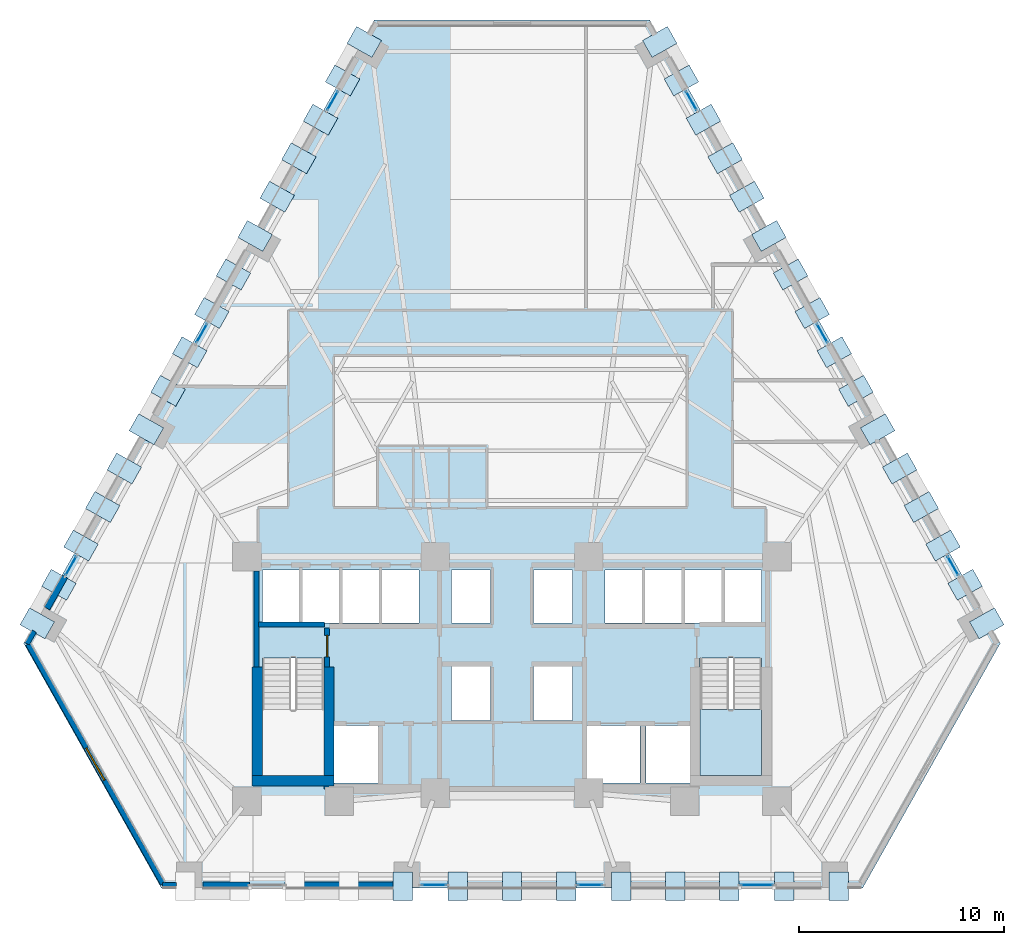
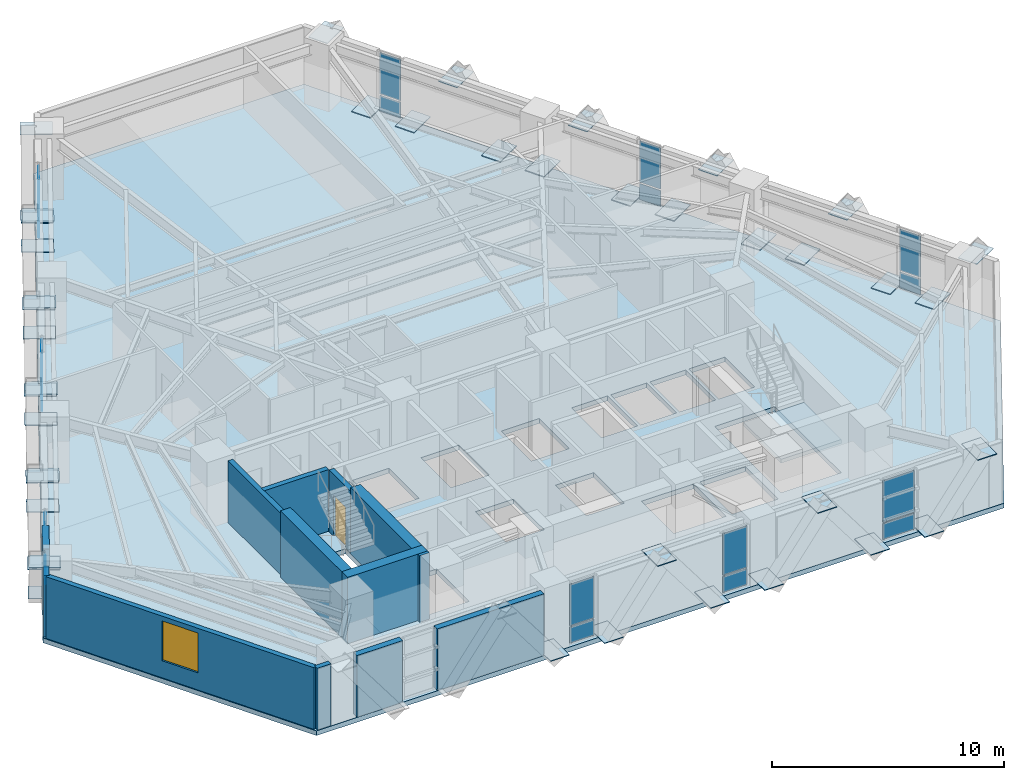
# One storey, part 6 of 13: 59 plates, 12 walls, 2 slabs, 1 door, 1 window, 2 openings, 10 elements without a shape of their own.
"""IFC4 building model written with IfcOpenShell, lengths in metres."""

from ifc_helpers import new_model, si_unit, direction, frame, frame_2d, origin, origin_2d, place, context, subcontext, project, spatial, polyline, rectangle, outline, extrude, material, layer, layer_set, type_object, element, fill, aggregate, save


model = new_model("IFC4")

# Units and contexts
model_context = context("Model", 3, precision=1e-05, world=origin(), true_north=direction((0.0, 1.0)))
body_context = subcontext(model_context, "Body", "Model", "MODEL_VIEW")
ifc_project = project(units=[si_unit("LENGTHUNIT", "METRE"), si_unit("AREAUNIT", "SQUARE_METRE"), si_unit("VOLUMEUNIT", "CUBIC_METRE"), si_unit("PLANEANGLEUNIT", "RADIAN"), si_unit("MASSUNIT", "GRAM", prefix="KILO")], contexts=[model_context])

# Site, building, storey
site_placement = place(None, origin())
site = spatial("IfcSite", under=ifc_project, at=site_placement, CompositionType="ELEMENT")
building_placement = place(site_placement, origin())
building = spatial("IfcBuilding", under=site, at=building_placement, Name="Quenlor Broadcast Tower", CompositionType="ELEMENT")
storey_placement = place(building_placement, frame((0.0, 0.0, 45.10009765625)))
storey = spatial("IfcBuildingStorey", under=building, at=storey_placement, Name="L11", CompositionType="ELEMENT", Elevation=45.10009765625)

# Curtain wall, plates
ifc_material_1 = material(Name="Architectural Terracotta and Low-E Glazing", Category="masonry")
curtain_wall_type = type_object("IfcCurtainWallType", Name="Unitised Terracotta Curtain Wall System Z1", PredefinedType="NOTDEFINED", material=ifc_material_1)
curtain_wall_1_placement = place(storey_placement, origin())
curtain_wall_1 = element("IfcCurtainWall", 1, at=curtain_wall_1_placement, inside=storey, type_object=curtain_wall_type, Name="L11 Curtain Wall CW1 (L11-SA-G1)", PredefinedType="NOTDEFINED")
ifc_material_2 = material(Name="Double Glazed Low-E Solar Glass", Category="glass")
ifc_layer_1 = layer(ifc_material_2, 0.031982421875)
ifc_layer_set_1 = layer_set([ifc_layer_1], Name="CW1 Double Glazed Vision Panel 32")
plate_type_1 = type_object("IfcPlateType", Name="CW1 Double Glazed Vision Panel 32", PredefinedType="CURTAIN_PANEL", material=ifc_layer_set_1)
plate_1_placement = place(storey_placement, frame((11.970703125, -20.840087890625, 0.079833984375), z_axis=(0.0, 0.0, 1.0), x_axis=(-1.0, 0.0, 0.0)))
plate_1 = element("IfcPlate", 2, at=plate_1_placement, type_object=plate_type_1, Name="CW1 panel 1.1", PredefinedType="CURTAIN_PANEL", context=body_context, shape_type="SweptSolid", body=[
    extrude(rectangle(XDim=1.568359375, YDim=0.031982421875, at=origin_2d()), origin(), (0.0, 0.0, 1.0), 0.830078125),
])
plate_2_placement = place(storey_placement, frame((11.970703125, -20.840087890625, 0.98974609375), z_axis=(0.0, 0.0, 1.0), x_axis=(-1.0, 0.0, 0.0)))
plate_2 = element("IfcPlate", 3, at=plate_2_placement, type_object=plate_type_1, Name="CW1 panel 1.2", PredefinedType="CURTAIN_PANEL", context=body_context, shape_type="SweptSolid", body=[
    extrude(rectangle(XDim=1.568359375, YDim=0.031982421875, at=origin_2d()), origin(), (0.0, 0.0, 1.0), 2.179931640625),
])
aggregate(curtain_wall_1, [plate_1, plate_2])

curtain_wall_2_placement = place(storey_placement, origin())
curtain_wall_2 = element("IfcCurtainWall", 4, at=curtain_wall_2_placement, inside=storey, type_object=curtain_wall_type, Name="L11 Curtain Wall CW1 (L11-S-G1)", PredefinedType="NOTDEFINED")
plate_3_placement = place(storey_placement, frame((3.81103515625, -20.840087890625, 0.079833984375), z_axis=(0.0, 0.0, 1.0), x_axis=(-1.0, 0.0, 0.0)))
plate_3 = element("IfcPlate", 5, at=plate_3_placement, type_object=plate_type_1, Name="CW1 panel 1.1", PredefinedType="CURTAIN_PANEL", context=body_context, shape_type="SweptSolid", body=[
    extrude(rectangle(XDim=1.209716796875, YDim=0.031982421875, at=origin_2d()), origin(), (0.0, 0.0, 1.0), 0.830078125),
])
plate_4_placement = place(storey_placement, frame((3.81103515625, -20.840087890625, 0.98974609375), z_axis=(0.0, 0.0, 1.0), x_axis=(-1.0, 0.0, 0.0)))
plate_4 = element("IfcPlate", 6, at=plate_4_placement, type_object=plate_type_1, Name="CW1 panel 1.2", PredefinedType="CURTAIN_PANEL", context=body_context, shape_type="SweptSolid", body=[
    extrude(rectangle(XDim=1.209716796875, YDim=0.031982421875, at=origin_2d()), origin(), (0.0, 0.0, 1.0), 2.179931640625),
])
aggregate(curtain_wall_2, [plate_3, plate_4])

curtain_wall_3_placement = place(storey_placement, origin())
curtain_wall_3 = element("IfcCurtainWall", 7, at=curtain_wall_3_placement, inside=storey, type_object=curtain_wall_type, Name="L11 Curtain Wall CW1 (L11-S-G2)", PredefinedType="NOTDEFINED")
plate_5_placement = place(storey_placement, frame((-3.81103515625, -20.840087890625, 0.079833984375), z_axis=(0.0, 0.0, 1.0), x_axis=(-1.0, 0.0, 0.0)))
plate_5 = element("IfcPlate", 8, at=plate_5_placement, type_object=plate_type_1, Name="CW1 panel 1.1", PredefinedType="CURTAIN_PANEL", context=body_context, shape_type="SweptSolid", body=[
    extrude(rectangle(XDim=1.209716796875, YDim=0.031982421875, at=origin_2d()), origin(), (0.0, 0.0, 1.0), 0.830078125),
])
plate_6_placement = place(storey_placement, frame((-3.81103515625, -20.840087890625, 0.98974609375), z_axis=(0.0, 0.0, 1.0), x_axis=(-1.0, 0.0, 0.0)))
plate_6 = element("IfcPlate", 9, at=plate_6_placement, type_object=plate_type_1, Name="CW1 panel 1.2", PredefinedType="CURTAIN_PANEL", context=body_context, shape_type="SweptSolid", body=[
    extrude(rectangle(XDim=1.209716796875, YDim=0.031982421875, at=origin_2d()), origin(), (0.0, 0.0, 1.0), 2.179931640625),
])
aggregate(curtain_wall_3, [plate_5, plate_6])

curtain_wall_4_placement = place(storey_placement, origin())
curtain_wall_4 = element("IfcCurtainWall", 10, at=curtain_wall_4_placement, inside=storey, type_object=curtain_wall_type, Name="L11 Curtain Wall CW1 (L11-NEA-G1)", PredefinedType="NOTDEFINED")
plate_7_placement = place(storey_placement, frame((8.766845703125, 17.48779296875, 0.079833984375), z_axis=(0.0, 0.0, 1.0), x_axis=(0.490214053392, -0.871602077703, 0.0)))
plate_7 = element("IfcPlate", 11, at=plate_7_placement, type_object=plate_type_1, Name="CW1 panel 1.1", PredefinedType="CURTAIN_PANEL", context=body_context, shape_type="SweptSolid", body=[
    extrude(rectangle(XDim=1.04736328125, YDim=0.031982421875, at=origin_2d()), origin(), (0.0, 0.0, 1.0), 0.830078125),
])
plate_8_placement = place(storey_placement, frame((8.766845703125, 17.48779296875, 0.98974609375), z_axis=(0.0, 0.0, 1.0), x_axis=(0.490214053392, -0.871602077703, 0.0)))
plate_8 = element("IfcPlate", 12, at=plate_8_placement, type_object=plate_type_1, Name="CW1 panel 1.2", PredefinedType="CURTAIN_PANEL", context=body_context, shape_type="SweptSolid", body=[
    extrude(rectangle(XDim=1.04736328125, YDim=0.031982421875, at=origin_2d()), origin(), (0.0, 0.0, 1.0), 2.179931640625),
])
aggregate(curtain_wall_4, [plate_7, plate_8])

curtain_wall_5_placement = place(storey_placement, origin())
curtain_wall_5 = element("IfcCurtainWall", 13, at=curtain_wall_5_placement, inside=storey, type_object=curtain_wall_type, Name="L11 Curtain Wall CW1 (L11-NEC-G1)", PredefinedType="NOTDEFINED")
plate_9_placement = place(storey_placement, frame((21.553955078125, -5.24462890625, 0.079833984375), z_axis=(0.0, 0.0, 1.0), x_axis=(0.490214053392, -0.871602077703, 0.0)))
plate_9 = element("IfcPlate", 14, at=plate_9_placement, type_object=plate_type_1, Name="CW1 panel 1.1", PredefinedType="CURTAIN_PANEL", context=body_context, shape_type="SweptSolid", body=[
    extrude(rectangle(XDim=1.04736328125, YDim=0.031982421875, at=origin_2d()), origin(), (0.0, 0.0, 1.0), 0.830078125),
])
plate_10_placement = place(storey_placement, frame((21.553955078125, -5.24462890625, 0.98974609375), z_axis=(0.0, 0.0, 1.0), x_axis=(0.490214053392, -0.871602077703, 0.0)))
plate_10 = element("IfcPlate", 15, at=plate_10_placement, type_object=plate_type_1, Name="CW1 panel 1.2", PredefinedType="CURTAIN_PANEL", context=body_context, shape_type="SweptSolid", body=[
    extrude(rectangle(XDim=1.04736328125, YDim=0.031982421875, at=origin_2d()), origin(), (0.0, 0.0, 1.0), 2.179931640625),
])
aggregate(curtain_wall_5, [plate_9, plate_10])

curtain_wall_6_placement = place(storey_placement, origin())
curtain_wall_6 = element("IfcCurtainWall", 16, at=curtain_wall_6_placement, inside=storey, type_object=curtain_wall_type, Name="L11 Curtain Wall CW1 (L11-NE-G1)", PredefinedType="NOTDEFINED")
plate_11_placement = place(storey_placement, frame((15.160400390625, 6.12158203125, 0.079833984375), z_axis=(0.0, 0.0, 1.0), x_axis=(0.49027696742, -0.871566690057, 0.0)))
plate_11 = element("IfcPlate", 17, at=plate_11_placement, type_object=plate_type_1, Name="CW1 panel 1.1", PredefinedType="CURTAIN_PANEL", context=body_context, shape_type="SweptSolid", body=[
    extrude(rectangle(XDim=1.04736328125, YDim=0.031982421875, at=origin_2d()), origin(), (0.0, 0.0, 1.0), 0.830078125),
])
plate_12_placement = place(storey_placement, frame((15.160400390625, 6.12158203125, 0.98974609375), z_axis=(0.0, 0.0, 1.0), x_axis=(0.49027696742, -0.871566690057, 0.0)))
plate_12 = element("IfcPlate", 18, at=plate_12_placement, type_object=plate_type_1, Name="CW1 panel 1.2", PredefinedType="CURTAIN_PANEL", context=body_context, shape_type="SweptSolid", body=[
    extrude(rectangle(XDim=1.04736328125, YDim=0.031982421875, at=origin_2d()), origin(), (0.0, 0.0, 1.0), 2.179931640625),
])
aggregate(curtain_wall_6, [plate_11, plate_12])

curtain_wall_7_placement = place(storey_placement, origin())
curtain_wall_7 = element("IfcCurtainWall", 19, at=curtain_wall_7_placement, inside=storey, type_object=curtain_wall_type, Name="L11 Curtain Wall CW1 (L11-NWA-G1)", PredefinedType="NOTDEFINED")
plate_13_placement = place(storey_placement, frame((-21.553955078125, -5.24462890625, 0.079833984375), z_axis=(0.0, 0.0, 1.0), x_axis=(0.490214053392, 0.871602077703, 0.0)))
plate_13 = element("IfcPlate", 20, at=plate_13_placement, type_object=plate_type_1, Name="CW1 panel 1.1", PredefinedType="CURTAIN_PANEL", context=body_context, shape_type="SweptSolid", body=[
    extrude(rectangle(XDim=1.04736328125, YDim=0.031982421875, at=origin_2d()), origin(), (0.0, 0.0, 1.0), 0.830078125),
])
plate_14_placement = place(storey_placement, frame((-21.553955078125, -5.24462890625, 0.98974609375), z_axis=(0.0, 0.0, 1.0), x_axis=(0.490214053392, 0.871602077703, 0.0)))
plate_14 = element("IfcPlate", 21, at=plate_14_placement, type_object=plate_type_1, Name="CW1 panel 1.2", PredefinedType="CURTAIN_PANEL", context=body_context, shape_type="SweptSolid", body=[
    extrude(rectangle(XDim=1.04736328125, YDim=0.031982421875, at=origin_2d()), origin(), (0.0, 0.0, 1.0), 2.179931640625),
])
aggregate(curtain_wall_7, [plate_13, plate_14])

curtain_wall_8_placement = place(storey_placement, origin())
curtain_wall_8 = element("IfcCurtainWall", 22, at=curtain_wall_8_placement, inside=storey, type_object=curtain_wall_type, Name="L11 Curtain Wall CW1 (L11-NWC-G1)", PredefinedType="NOTDEFINED")
plate_15_placement = place(storey_placement, frame((-8.766845703125, 17.48779296875, 0.079833984375), z_axis=(0.0, 0.0, 1.0), x_axis=(0.490214053392, 0.871602077703, 0.0)))
plate_15 = element("IfcPlate", 23, at=plate_15_placement, type_object=plate_type_1, Name="CW1 panel 1.1", PredefinedType="CURTAIN_PANEL", context=body_context, shape_type="SweptSolid", body=[
    extrude(rectangle(XDim=1.04736328125, YDim=0.031982421875, at=origin_2d()), origin(), (0.0, 0.0, 1.0), 0.830078125),
])
plate_16_placement = place(storey_placement, frame((-8.766845703125, 17.48779296875, 0.98974609375), z_axis=(0.0, 0.0, 1.0), x_axis=(0.490214053392, 0.871602077703, 0.0)))
plate_16 = element("IfcPlate", 24, at=plate_16_placement, type_object=plate_type_1, Name="CW1 panel 1.2", PredefinedType="CURTAIN_PANEL", context=body_context, shape_type="SweptSolid", body=[
    extrude(rectangle(XDim=1.04736328125, YDim=0.031982421875, at=origin_2d()), origin(), (0.0, 0.0, 1.0), 2.179931640625),
])
aggregate(curtain_wall_8, [plate_15, plate_16])

curtain_wall_9_placement = place(storey_placement, origin())
curtain_wall_9 = element("IfcCurtainWall", 25, at=curtain_wall_9_placement, inside=storey, type_object=curtain_wall_type, Name="L11 Curtain Wall CW1 (L11-NW-G1)", PredefinedType="NOTDEFINED")
plate_17_placement = place(storey_placement, frame((-15.160400390625, 6.12158203125, 0.079833984375), z_axis=(0.0, 0.0, 1.0), x_axis=(0.49027696742, 0.871566690057, 0.0)))
plate_17 = element("IfcPlate", 26, at=plate_17_placement, type_object=plate_type_1, Name="CW1 panel 1.1", PredefinedType="CURTAIN_PANEL", context=body_context, shape_type="SweptSolid", body=[
    extrude(rectangle(XDim=1.04736328125, YDim=0.031982421875, at=origin_2d()), origin(), (0.0, 0.0, 1.0), 0.830078125),
])
plate_18_placement = place(storey_placement, frame((-15.160400390625, 6.12158203125, 0.98974609375), z_axis=(0.0, 0.0, 1.0), x_axis=(0.49027696742, 0.871566690057, 0.0)))
plate_18 = element("IfcPlate", 27, at=plate_18_placement, type_object=plate_type_1, Name="CW1 panel 1.2", PredefinedType="CURTAIN_PANEL", context=body_context, shape_type="SweptSolid", body=[
    extrude(rectangle(XDim=1.04736328125, YDim=0.031982421875, at=origin_2d()), origin(), (0.0, 0.0, 1.0), 2.179931640625),
])
aggregate(curtain_wall_9, [plate_17, plate_18])

# Stair, slab
ifc_material_3 = material(Name="Precast concrete C40/50", Category="concrete")
stair_type = type_object("IfcStairType", Name="Precast Concrete C40/50 Dogleg Stair H350", PredefinedType="HALF_TURN_STAIR", material=ifc_material_3)
stair_placement = place(storey_placement, origin())
stair = element("IfcStair", 28, at=stair_placement, inside=storey, type_object=stair_type, Name="L11 East Core Fire-Isolated Exit Stair ST-2", PredefinedType="HALF_TURN_STAIR")
ifc_material_4 = material(Name="Precast concrete C40/50", Category="concrete")
ifc_layer_2 = layer(ifc_material_4, 0.199951171875)
ifc_layer_set_2 = layer_set([ifc_layer_2], Name="Precast Concrete C40/50 Stair Landing Slab 200")
slab_type_1 = type_object("IfcSlabType", Name="Precast Concrete C40/50 Stair Landing Slab 200", PredefinedType="LANDING", material=ifc_layer_set_2)
slab_1_placement = place(storey_placement, frame((0.0, 0.0, 1.5498046875)))
slab_1 = element("IfcSlab", 29, at=slab_1_placement, type_object=slab_type_1, Name="ST-2 landing 1", PredefinedType="LANDING", context=body_context, shape_type="SweptSolid", body=[
    extrude(outline(polyline([(9.199951171875, -12.27001953125), (9.199951171875, -15.5), (12.199951171875, -15.5), (12.199951171875, -12.27001953125), (9.199951171875, -12.27001953125)])), origin(), (0.0, 0.0, 1.0), 0.2001953125),
])
aggregate(stair, [slab_1])

# Slab
ifc_material_5 = material(Name="Concrete C40/50", Category="concrete")
ifc_layer_3 = layer(ifc_material_5, 0.25)
ifc_layer_set_3 = layer_set([ifc_layer_3], Name="Tower Composite Concrete C40/50 Slab 250")
slab_type_2 = type_object("IfcSlabType", Name="Tower Composite Concrete C40/50 Slab 250", PredefinedType="FLOOR", material=ifc_layer_set_3)
slab_2_placement = place(storey_placement, frame((0.0, 0.0, -0.25)))
element("IfcSlab", 30, at=slab_2_placement, inside=storey, type_object=slab_type_2, Name="L11 Structural Floor Slab", PredefinedType="FLOOR", context=body_context, shape_type="SweptSolid", body=[
    extrude(outline(polyline([(17.135986328125, -21.0), (23.867919921875, -9.031982421875), (6.73193359375, 21.431884765625), (-6.73193359375, 21.431884765625), (-23.867919921875, -9.031982421875), (-17.135986328125, -21.0), (17.135986328125, -21.0)]), holes=[polyline([(-12.199951171875, -9.758056640625), (-12.199951171875, -15.5), (-9.199951171875, -15.5), (-9.199951171875, -9.758056640625), (-12.199951171875, -9.758056640625)]), polyline([(9.199951171875, -9.758056640625), (9.199951171875, -15.5), (12.199951171875, -15.5), (12.199951171875, -9.758056640625), (9.199951171875, -9.758056640625)]), polyline([(-12.199951171875, -8.050048828125), (-10.39990234375, -8.050048828125), (-10.39990234375, -5.449951171875), (-12.199951171875, -5.449951171875), (-12.199951171875, -8.050048828125)]), polyline([(-10.25, -8.050048828125), (-8.449951171875, -8.050048828125), (-8.449951171875, -5.449951171875), (-10.25, -5.449951171875), (-10.25, -8.050048828125)]), polyline([(-8.300048828125, -8.050048828125), (-6.5, -8.050048828125), (-6.5, -5.449951171875), (-8.300048828125, -5.449951171875), (-8.300048828125, -8.050048828125)]), polyline([(-6.35009765625, -8.050048828125), (-4.550048828125, -8.050048828125), (-4.550048828125, -5.449951171875), (-6.35009765625, -5.449951171875), (-6.35009765625, -8.050048828125)]), polyline([(-2.949951171875, -8.050048828125), (-1.050048828125, -8.050048828125), (-1.050048828125, -5.449951171875), (-2.949951171875, -5.449951171875), (-2.949951171875, -8.050048828125)]), polyline([(1.050048828125, -8.050048828125), (2.949951171875, -8.050048828125), (2.949951171875, -5.449951171875), (1.050048828125, -5.449951171875), (1.050048828125, -8.050048828125)]), polyline([(-2.949951171875, -12.800048828125), (-1.050048828125, -12.800048828125), (-1.050048828125, -10.14990234375), (-2.949951171875, -10.14990234375), (-2.949951171875, -12.800048828125)]), polyline([(1.050048828125, -12.800048828125), (2.949951171875, -12.800048828125), (2.949951171875, -10.14990234375), (1.050048828125, -10.14990234375), (1.050048828125, -12.800048828125)]), polyline([(4.550048828125, -8.050048828125), (6.35009765625, -8.050048828125), (6.35009765625, -5.449951171875), (4.550048828125, -5.449951171875), (4.550048828125, -8.050048828125)]), polyline([(6.5, -8.050048828125), (8.300048828125, -8.050048828125), (8.300048828125, -5.449951171875), (6.5, -5.449951171875), (6.5, -8.050048828125)]), polyline([(8.449951171875, -8.050048828125), (10.25, -8.050048828125), (10.25, -5.449951171875), (8.449951171875, -5.449951171875), (8.449951171875, -8.050048828125)]), polyline([(10.39990234375, -8.050048828125), (12.199951171875, -8.050048828125), (12.199951171875, -5.449951171875), (10.39990234375, -5.449951171875), (10.39990234375, -8.050048828125)]), polyline([(-8.85009765625, -15.85009765625), (-6.550048828125, -15.85009765625), (-6.550048828125, -13.050048828125), (-8.85009765625, -13.050048828125), (-8.85009765625, -15.85009765625)]), polyline([(6.550048828125, -15.85009765625), (8.85009765625, -15.85009765625), (8.85009765625, -13.050048828125), (6.550048828125, -13.050048828125), (6.550048828125, -15.85009765625)]), polyline([(3.64990234375, -15.85009765625), (6.25, -15.85009765625), (6.25, -13.050048828125), (3.64990234375, -13.050048828125), (3.64990234375, -15.85009765625)])]), origin(), (0.0, 0.0, 1.0), 0.25),
])

# Plates
ifc_material_6 = material(Name="Steel S355", Category="steel")
ifc_layer_4 = layer(ifc_material_6, 0.035888671875)
ifc_layer_set_4 = layer_set([ifc_layer_4], Name="Transfer Truss Steel S355 Gusset Node Plate 1400x950x36")
plate_type_2 = type_object("IfcPlateType", Name="Transfer Truss Steel S355 Gusset Node Plate 1400x950x36", PredefinedType="SHEET", material=ifc_layer_set_4)
for number, where, z_axis, x_axis, name in (
    (31, (10.624755859375, -20.89990234375, 0.0419921875), (0.0, 0.0, 1.0), (0.0, -1.0, 0.0), "L11 Lattice Tie Gusset Node S-B2"),
    (32, (7.98046875, -20.89990234375, 3.18212890625), (0.0, 0.0, 1.0), (0.0, -1.0, 0.0), "L11 Lattice Tie Gusset Node S-T3"),
    (33, (13.31689453125, -20.89990234375, 0.0419921875), (0.0, 0.0, 1.0), (0.0, -1.0, 0.0), "L11 Lattice Tie Gusset Node S-B1"),
    (34, (15.9609375, -20.89990234375, 3.18212890625), (0.0, 0.0, 1.0), (0.0, -1.0, 0.0), "L11 Lattice Tie Gusset Node S-T0"),
    (35, (2.644287109375, -20.89990234375, 0.0419921875), (0.0, 0.0, 1.0), (0.0, -1.0, 0.0), "L11 Lattice Tie Gusset Node S-B5"),
    (36, (0.0, -20.89990234375, 3.18212890625), (0.0, 0.0, 1.0), (0.0, -1.0, 0.0), "L11 Lattice Tie Gusset Node S-T6"),
    (37, (5.336181640625, -20.89990234375, 0.0419921875), (0.0, 0.0, 1.0), (0.0, -1.0, 0.0), "L11 Lattice Tie Gusset Node S-B4"),
    (38, (-5.336181640625, -20.89990234375, 0.0419921875), (0.0, 0.0, 1.0), (0.0, -1.0, 0.0), "L11 Lattice Tie Gusset Node S-B8"),
    (39, (-2.644287109375, -20.89990234375, 0.0419921875), (0.0, 0.0, 1.0), (0.0, -1.0, 0.0), "L11 Lattice Tie Gusset Node S-B7"),
    (40, (9.3583984375, 16.558837890625, 0.0419921875), (0.0, 0.0, 1.0), (0.871556314255, 0.490295412055, 0.0), "L11 Lattice Tie Gusset Node NE-B2"),
    (41, (10.41748046875, 14.67578125, 3.18212890625), (0.0, 0.0, 1.0), (0.871556314255, 0.490295412055, 0.0), "L11 Lattice Tie Gusset Node NE-T3"),
    (42, (8.280029296875, 18.475830078125, 0.0419921875), (0.0, 0.0, 1.0), (0.871556314255, 0.490295412055, 0.0), "L11 Lattice Tie Gusset Node NE-B1"),
    (43, (7.220947265625, 20.35888671875, 3.18212890625), (0.0, 0.0, 1.0), (0.871556314255, 0.490295412055, 0.0), "L11 Lattice Tie Gusset Node NE-T0"),
    (44, (12.55517578125, 10.87548828125, 0.0419921875), (0.0, 0.0, 1.0), (0.871556314255, 0.490295412055, 0.0), "L11 Lattice Tie Gusset Node NE-B5"),
    (45, (13.614501953125, 8.99267578125, 3.18212890625), (0.0, 0.0, 1.0), (0.871556314255, 0.490295412055, 0.0), "L11 Lattice Tie Gusset Node NE-T6"),
    (46, (11.476806640625, 12.792724609375, 0.0419921875), (0.0, 0.0, 1.0), (0.871556314255, 0.490295412055, 0.0), "L11 Lattice Tie Gusset Node NE-B4"),
    (47, (15.751953125, 5.1923828125, 0.0419921875), (0.0, 0.0, 1.0), (0.871556314255, 0.490295412055, 0.0), "L11 Lattice Tie Gusset Node NE-B8"),
    (48, (16.811279296875, 3.309326171875, 3.18212890625), (0.0, 0.0, 1.0), (0.871556314255, 0.490295412055, 0.0), "L11 Lattice Tie Gusset Node NE-T9"),
    (49, (14.673583984375, 7.109619140625, 0.0419921875), (0.0, 0.0, 1.0), (0.871556314255, 0.490295412055, 0.0), "L11 Lattice Tie Gusset Node NE-B7"),
    (50, (18.94873046875, -0.49072265625, 0.0419921875), (0.0, 0.0, 1.0), (0.871556314255, 0.490295412055, 0.0), "L11 Lattice Tie Gusset Node NE-B11"),
    (51, (20.008056640625, -2.373779296875, 3.18212890625), (0.0, 0.0, 1.0), (0.871556314255, 0.490295412055, 0.0), "L11 Lattice Tie Gusset Node NE-T12"),
    (52, (17.870361328125, 1.426513671875, 0.0419921875), (0.0, 0.0, 1.0), (0.871556314255, 0.490295412055, 0.0), "L11 Lattice Tie Gusset Node NE-B10"),
    (53, (22.1455078125, -6.173828125, 0.0419921875), (0.0, 0.0, 1.0), (0.871556314255, 0.490295412055, 0.0), "L11 Lattice Tie Gusset Node NE-B14"),
    (54, (23.20458984375, -8.056884765625, 3.18212890625), (0.0, 0.0, 1.0), (0.871556314255, 0.490295412055, 0.0), "L11 Lattice Tie Gusset Node NE-T15"),
    (55, (21.067138671875, -4.256591796875, 0.0419921875), (0.0, 0.0, 1.0), (0.871556314255, 0.490295412055, 0.0), "L11 Lattice Tie Gusset Node NE-B13"),
    (56, (-21.067138671875, -4.256591796875, 0.0419921875), (0.0, 0.0, 1.0), (-0.871556314255, 0.490295412055, 0.0), "L11 Lattice Tie Gusset Node NW-B2"),
    (57, (-20.008056640625, -2.373779296875, 3.18212890625), (0.0, 0.0, 1.0), (-0.871556314255, 0.490295412055, 0.0), "L11 Lattice Tie Gusset Node NW-T3"),
    (58, (-22.1455078125, -6.173828125, 0.0419921875), (0.0, 0.0, 1.0), (-0.871556314255, 0.490295412055, 0.0), "L11 Lattice Tie Gusset Node NW-B1"),
    (59, (-23.20458984375, -8.056884765625, 3.18212890625), (0.0, 0.0, 1.0), (-0.871556314255, 0.490295412055, 0.0), "L11 Lattice Tie Gusset Node NW-T0"),
    (60, (-17.870361328125, 1.426513671875, 0.0419921875), (0.0, 0.0, 1.0), (-0.871556314255, 0.490295412055, 0.0), "L11 Lattice Tie Gusset Node NW-B5"),
    (61, (-16.811279296875, 3.309326171875, 3.18212890625), (0.0, 0.0, 1.0), (-0.871556314255, 0.490295412055, 0.0), "L11 Lattice Tie Gusset Node NW-T6"),
    (62, (-18.94873046875, -0.49072265625, 0.0419921875), (0.0, 0.0, 1.0), (-0.871556314255, 0.490295412055, 0.0), "L11 Lattice Tie Gusset Node NW-B4"),
    (63, (-14.673583984375, 7.109619140625, 0.0419921875), (0.0, 0.0, 1.0), (-0.871556314255, 0.490295412055, 0.0), "L11 Lattice Tie Gusset Node NW-B8"),
    (64, (-13.614501953125, 8.99267578125, 3.18212890625), (0.0, 0.0, 1.0), (-0.871556314255, 0.490295412055, 0.0), "L11 Lattice Tie Gusset Node NW-T9"),
    (65, (-15.751953125, 5.1923828125, 0.0419921875), (0.0, 0.0, 1.0), (-0.871556314255, 0.490295412055, 0.0), "L11 Lattice Tie Gusset Node NW-B7"),
    (66, (-11.476806640625, 12.792724609375, 0.0419921875), (0.0, 0.0, 1.0), (-0.871556314255, 0.490295412055, 0.0), "L11 Lattice Tie Gusset Node NW-B11"),
    (67, (-10.41748046875, 14.67578125, 3.18212890625), (0.0, 0.0, 1.0), (-0.871556314255, 0.490295412055, 0.0), "L11 Lattice Tie Gusset Node NW-T12"),
    (68, (-12.55517578125, 10.87548828125, 0.0419921875), (0.0, 0.0, 1.0), (-0.871556314255, 0.490295412055, 0.0), "L11 Lattice Tie Gusset Node NW-B10"),
    (69, (-8.280029296875, 18.475830078125, 0.0419921875), (0.0, 0.0, 1.0), (-0.871556314255, 0.490295412055, 0.0), "L11 Lattice Tie Gusset Node NW-B14"),
    (70, (-7.220947265625, 20.35888671875, 3.18212890625), (0.0, 0.0, 1.0), (-0.871556314255, 0.490295412055, 0.0), "L11 Lattice Tie Gusset Node NW-T15"),
    (71, (-9.3583984375, 16.558837890625, 0.0419921875), (0.0, 0.0, 1.0), (-0.871556314255, 0.490295412055, 0.0), "L11 Lattice Tie Gusset Node NW-B13"),
):
    element("IfcPlate", number, at=place(storey_placement, frame(where, z_axis=z_axis, x_axis=x_axis)), inside=storey, type_object=plate_type_2, Name=name, PredefinedType="SHEET", context=body_context, shape_type="SweptSolid", body=[
        extrude(rectangle(XDim=1.39990234375, YDim=0.949951171875, at=origin_2d()), origin(), (0.0, 0.0, 1.0), 0.035888671875),
    ])

# Walls
ifc_material_7 = material(Name="Concrete C65/80", Category="concrete")
ifc_layer_5 = layer(ifc_material_7, 0.5)
ifc_layer_set_5 = layer_set([ifc_layer_5], Name="Core Concrete C65/80 Shear Wall 500")
wall_type_1 = type_object("IfcWallType", Name="Core Concrete C65/80 Shear Wall 500", PredefinedType="SHEAR", material=ifc_layer_set_5)
wall_1_placement = place(storey_placement, frame((-12.699951171875, -15.75, 0.0), z_axis=(0.0, 0.0, 1.0), x_axis=(1.0, 0.0, 0.0)))
element("IfcWall", 72, at=wall_1_placement, inside=storey, type_object=wall_type_1, Name="L11 Core Shear Wall WS-W1", PredefinedType="SHEAR", context=body_context, shape_type="SweptSolid", body=[
    extrude(rectangle(XDim=4.0, YDim=0.5, at=frame_2d((2.0, 0.0))), origin(), (0.0, 0.0, 1.0), 3.5),
])
wall_2_placement = place(storey_placement, frame((-12.449951171875, -15.75, 0.0), z_axis=(0.0, 0.0, 1.0), x_axis=(0.0, 1.0, 0.0)))
element("IfcWall", 73, at=wall_2_placement, inside=storey, type_object=wall_type_1, Name="L11 Core Shear Wall WF-W", PredefinedType="SHEAR", context=body_context, shape_type="SweptSolid", body=[
    extrude(rectangle(XDim=5.550048828125, YDim=0.5, at=frame_2d((2.77490234375, 0.0))), origin(), (0.0, 0.0, 1.0), 3.5),
])
wall_3_placement = place(storey_placement, frame((-8.949951171875, -16.14990234375, 0.0), z_axis=(0.0, 0.0, 1.0), x_axis=(0.0, 1.0, 0.0)))
element("IfcWall", 74, at=wall_3_placement, inside=storey, type_object=wall_type_1, Name="L11 Core Shear Wall WI-W", PredefinedType="SHEAR", context=body_context, shape_type="SweptSolid", body=[
    extrude(rectangle(XDim=5.949951171875, YDim=0.5, at=frame_2d((2.97509765625, 0.0))), origin(), (0.0, 0.0, 1.0), 3.5),
])

# Wall, opening, door
ifc_material_8 = material(Name="Concrete C40/50", Category="concrete")
ifc_layer_6 = layer(ifc_material_8, 0.25)
ifc_layer_set_6 = layer_set([ifc_layer_6], Name="Fire Rated Concrete C40/50 Core Wall 250")
wall_type_2 = type_object("IfcWallType", Name="Fire Rated Concrete C40/50 Core Wall 250", PredefinedType="PARTITIONING", material=ifc_layer_set_6)
wall_4_placement = place(storey_placement, frame((-9.0400390625, -10.179931640625, 0.0), z_axis=(0.0, 0.0, 1.0), x_axis=(0.0, 1.0, 0.0)))
wall_4 = element("IfcWall", 75, at=wall_4_placement, inside=storey, type_object=wall_type_2, Name="L11 Interior Wall CW-ST1-DR", PredefinedType="PARTITIONING", context=body_context, shape_type="SweptSolid", body=[
    extrude(rectangle(XDim=1.89990234375, YDim=0.25, at=frame_2d((0.949951171875, 0.0))), origin(), (0.0, 0.0, 1.0), 3.25),
])
opening_1_placement = place(wall_4_placement, frame((0.47998046875, 0.0, 0.0)))
opening_1 = element("IfcOpeningElement", 76, at=opening_1_placement, cuts=wall_4, Name="Opening FD-1", PredefinedType="OPENING", context=body_context, shape_type="SweptSolid", body=[
    extrude(rectangle(XDim=1.050048828125, YDim=2.14990234375, at=frame_2d((0.52490234375, 1.074951171875))), frame((0.0, 0.135009765625, 0.0), z_axis=(0.0, -1.0, 0.0), x_axis=(1.0, 0.0, 0.0)), (0.0, 0.0, 1.0), 0.27001953125),
])
ifc_material_9 = material(Name="Fire Rated Steel Door Leaf", Category="steel")
door_type = type_object("IfcDoorType", Name="Fire Isolated Stair Door 1050x2150", OperationType="NOTDEFINED", PredefinedType="DOOR", material=ifc_material_9)
door_placement = place(opening_1_placement, origin())
door = element("IfcDoor", 77, at=door_placement, inside=storey, type_object=door_type, Name="L11 Door DR-ST1", OperationType="SINGLE_SWING_LEFT", OverallHeight=2.14990234375, OverallWidth=1.050048828125, PredefinedType="DOOR", context=body_context, shape_type="SweptSolid", body=[
    extrude(rectangle(XDim=1.050048828125, YDim=2.14990234375, at=frame_2d((0.52490234375, 1.074951171875))), frame((0.0, 0.02490234375, 0.0), z_axis=(0.0, -1.0, 0.0), x_axis=(1.0, 0.0, 0.0)), (0.0, 0.0, 1.0), 0.050048828125),
])
fill(opening_1, door)

# Walls
wall_5_placement = place(storey_placement, frame((-12.3798828125, -8.1201171875, 0.0), z_axis=(0.0, 0.0, 1.0), x_axis=(1.0, 0.0, 0.0)))
element("IfcWall", 78, at=wall_5_placement, inside=storey, type_object=wall_type_2, Name="L11 Interior Wall CW-ST1-N", PredefinedType="PARTITIONING", context=body_context, shape_type="SweptSolid", body=[
    extrude(rectangle(XDim=3.219970703125, YDim=0.25, at=frame_2d((1.60986328125, 0.0))), origin(), (0.0, 0.0, 1.0), 3.25),
])
wall_6_placement = place(storey_placement, frame((-12.47998046875, -10.179931640625, 0.0), z_axis=(0.0, 0.0, 1.0), x_axis=(0.0, 1.0, 0.0)))
element("IfcWall", 79, at=wall_6_placement, inside=storey, type_object=wall_type_2, Name="L11 Interior Wall CW-ST1-W2", PredefinedType="PARTITIONING", context=body_context, shape_type="SweptSolid", body=[
    extrude(rectangle(XDim=4.677978515625, YDim=0.25, at=frame_2d((2.3388671875, 0.0))), origin(), (0.0, 0.0, 1.0), 3.25),
])
ifc_material_10 = material(Name="Precast concrete C40/50", Category="concrete")
ifc_layer_7 = layer(ifc_material_10, 0.239990234375)
ifc_layer_set_7 = layer_set([ifc_layer_7], Name="Terrace Threshold Precast Concrete C40/50 Wall 240")
wall_type_3 = type_object("IfcWallType", Name="Terrace Threshold Precast Concrete C40/50 Wall 240", PredefinedType="STANDARD", material=ifc_layer_set_7)
wall_7_placement = place(storey_placement, frame((-16.39501953125, -20.840087890625, 0.0), z_axis=(0.0, 0.0, 1.0), x_axis=(-1.0, 0.0, 0.0)))
element("IfcWall", 80, at=wall_7_placement, inside=storey, type_object=wall_type_3, Name="L11 Exterior Wall L11-SHD-SS1", PredefinedType="STANDARD", context=body_context, shape_type="SweptSolid", body=[
    extrude(rectangle(XDim=0.680908203125, YDim=0.239990234375, at=frame_2d((0.34033203125, 0.0))), origin(), (0.0, 0.0, 1.0), 3.25),
])
wall_8_placement = place(storey_placement, frame((-23.69921875, -9.05810546875, 0.0), z_axis=(0.0, 0.0, 1.0), x_axis=(0.490523074758, 0.871428203084, 0.0)))
element("IfcWall", 81, at=wall_8_placement, inside=storey, type_object=wall_type_3, Name="L11 Exterior Wall L11-SHD-NWS0", PredefinedType="STANDARD", context=body_context, shape_type="SweptSolid", body=[
    extrude(rectangle(XDim=0.708251953125, YDim=0.239990234375, at=frame_2d((0.35400390625, 0.0))), origin(), (0.0, 0.0, 1.0), 3.25),
])

# Wall, opening, window
wall_9_placement = place(storey_placement, frame((-23.659912109375, -9.07568359375, 0.0), z_axis=(0.0, 0.0, 1.0), x_axis=(0.490268135177, -0.871571658345, 0.0)))
wall_9 = element("IfcWall", 82, at=wall_9_placement, inside=storey, type_object=wall_type_3, Name="L11 Exterior Wall L11-CNR-04", PredefinedType="STANDARD", context=body_context, shape_type="SweptSolid", body=[
    extrude(rectangle(XDim=13.44775390625, YDim=0.239990234375, at=frame_2d((6.723876953125, 0.0))), origin(), (0.0, 0.0, 1.0), 3.25),
])
opening_2_placement = place(wall_9_placement, frame((5.823974609375, 0.0, 0.89990234375)))
opening_2 = element("IfcOpeningElement", 83, at=opening_2_placement, cuts=wall_9, Name="Opening WN-1", PredefinedType="OPENING", context=body_context, shape_type="SweptSolid", body=[
    extrude(rectangle(XDim=1.800048828125, YDim=2.10009765625, at=frame_2d((0.89990234375, 1.050048828125))), frame((0.0, 0.1298828125, 0.0), z_axis=(0.0, -1.0, 0.0), x_axis=(1.0, 0.0, 0.0)), (0.0, 0.0, 1.0), 0.260009765625),
])
ifc_material_11 = material(Name="Thermally Broken Aluminium and Low-E Glass", Category="aluminium")
window_type = type_object("IfcWindowType", Name="Tower Acoustic Vision Window 1800x2100", PartitioningType="SINGLE_PANEL", PredefinedType="WINDOW", material=ifc_material_11)
window_placement = place(opening_2_placement, origin())
window = element("IfcWindow", 84, at=window_placement, inside=storey, type_object=window_type, Name="L11 Corner Chamfer Window 4", OverallHeight=2.10009765625, OverallWidth=1.800048828125, PartitioningType="SINGLE_PANEL", PredefinedType="WINDOW", context=body_context, shape_type="SweptSolid", body=[
    extrude(rectangle(XDim=1.800048828125, YDim=2.10009765625, at=frame_2d((0.89990234375, 1.050048828125))), frame((0.0, 0.030029296875, 0.0), z_axis=(0.0, -1.0, 0.0), x_axis=(1.0, 0.0, 0.0)), (0.0, 0.0, 1.0), 0.06005859375),
])
fill(opening_2, window)

# Walls
ifc_material_12 = material(Name="Precast concrete C40/50", Category="concrete")
ifc_layer_8 = layer(ifc_material_12, 0.300048828125)
ifc_layer_set_8 = layer_set([ifc_layer_8], Name="Terracotta Precast Concrete C40/50 Spandrel Wall 300")
wall_type_4 = type_object("IfcWallType", Name="Terracotta Precast Concrete C40/50 Spandrel Wall 300", PredefinedType="STANDARD", material=ifc_layer_set_8)
wall_10_placement = place(storey_placement, frame((-5.790771484375, -20.840087890625, 0.0), z_axis=(0.0, 0.0, 1.0), x_axis=(-1.0, 0.0, 0.0)))
element("IfcWall", 85, at=wall_10_placement, inside=storey, type_object=wall_type_4, Name="L11 Exterior Wall L11-SC-SP1", PredefinedType="STANDARD", context=body_context, shape_type="SweptSolid", body=[
    extrude(rectangle(XDim=5.31591796875, YDim=0.300048828125, at=frame_2d((2.657958984375, 0.0))), origin(), (0.0, 0.0, 1.0), 3.25),
])
wall_11_placement = place(storey_placement, frame((-12.8349609375, -20.840087890625, 0.0), z_axis=(0.0, 0.0, 1.0), x_axis=(-1.0, 0.0, 0.0)))
element("IfcWall", 86, at=wall_11_placement, inside=storey, type_object=wall_type_4, Name="L11 Exterior Wall L11-SC-SP2", PredefinedType="STANDARD", context=body_context, shape_type="SweptSolid", body=[
    extrude(rectangle(XDim=2.280029296875, YDim=0.300048828125, at=frame_2d((1.14013671875, 0.0))), origin(), (0.0, 0.0, 1.0), 3.25),
])
wall_12_placement = place(storey_placement, frame((-22.724365234375, -7.3251953125, 0.0), z_axis=(0.0, 0.0, 1.0), x_axis=(0.490274239922, 0.871568224334, 0.0)))
element("IfcWall", 87, at=wall_12_placement, inside=storey, type_object=wall_type_4, Name="L11 Exterior Wall L11-NWA-SP1", PredefinedType="STANDARD", context=body_context, shape_type="SweptSolid", body=[
    extrude(rectangle(XDim=1.783203125, YDim=0.300048828125, at=frame_2d((0.8916015625, 0.0))), origin(), (0.0, 0.0, 1.0), 3.25),
])

save(model, "model.ifc")
